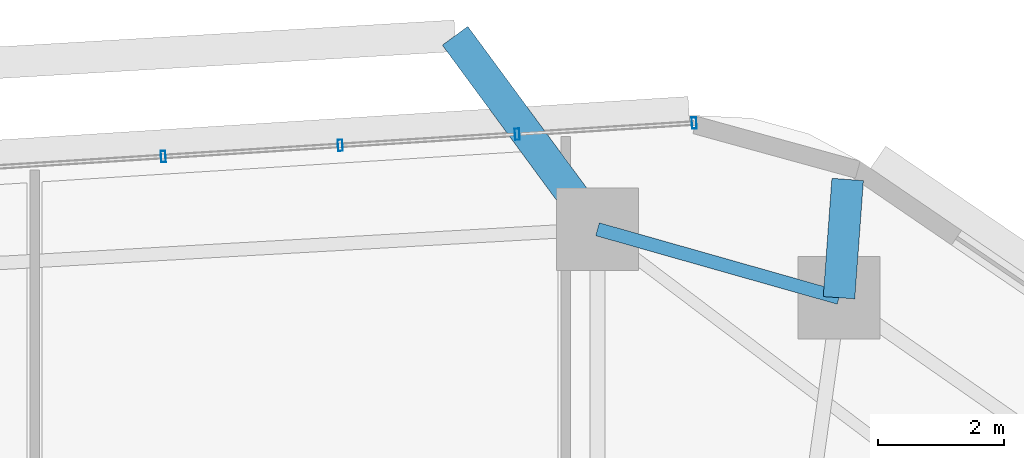
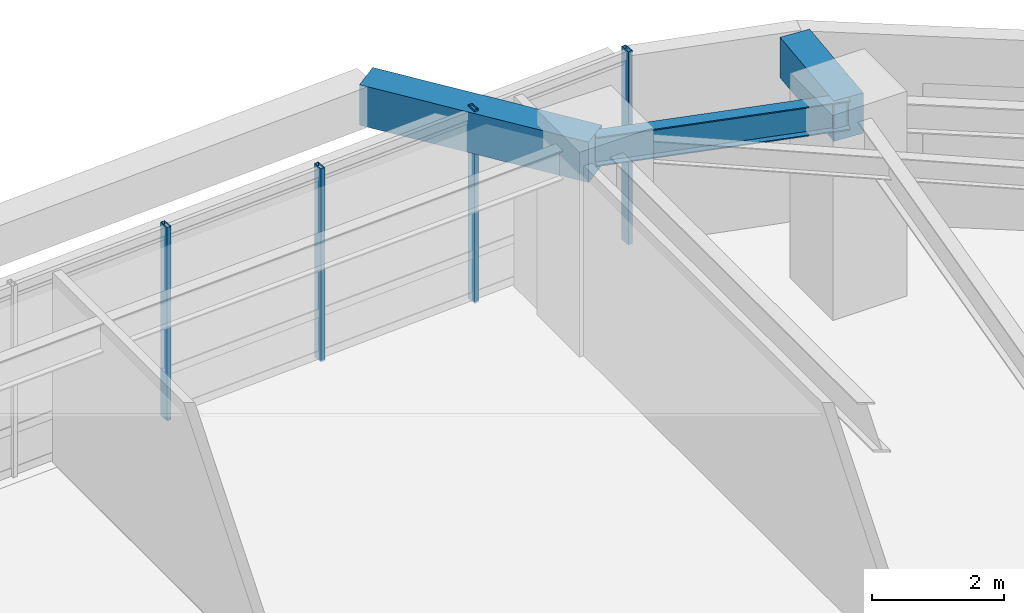
# One storey, part 5 of 14: 4 members, 3 beams, 1 element without a shape of its own.
"""IFC4 building model written with IfcOpenShell, lengths in metres."""

import ifcopenshell
import ifcopenshell.guid

model = None  # the IFC model being written
_history = None  # IfcOwnerHistory: only IFC2X3 demands one
_inside = {}  # id of a spatial element -> (the spatial element, [elements in it])
_under = {}  # id of a project, library or spatial element -> (it, [spatial elements below it])
_declared = {}  # id of a project -> (the project, [libraries it declares])
_typed = {}  # id of a type object -> (the type object, [elements of that type])
_made_of = {}  # id of a material, layer set ... -> (it, [elements and type objects made of it])


def new_model(schema):
    """Start an empty IFC model of exactly this schema.

    Asked for "IFC4X3", IfcOpenShell would pick the latest addendum, in which some entities
    have other attributes; the version numbers below select the first issue.
    IFC2X3 requires an IfcOwnerHistory on every rooted entity: one is made here for all.
    """
    global model, _history
    if schema == "IFC4X3":
        model = ifcopenshell.file(schema_version=(4, 3, 0, 0))
    else:
        model = ifcopenshell.file(schema=schema)
    _inside.clear()
    _under.clear()
    _declared.clear()
    _typed.clear()
    _made_of.clear()
    _history = None
    if model.schema == "IFC2X3":
        org = make("IfcOrganization", Name="unknown")
        user = make(
            "IfcPersonAndOrganization",
            ThePerson=make("IfcPerson", FamilyName="unknown"),
            TheOrganization=org,
        )
        app = make(
            "IfcApplication",
            ApplicationDeveloper=org,
            Version="unknown",
            ApplicationFullName="unknown",
            ApplicationIdentifier="unknown",
        )
        _history = make(
            "IfcOwnerHistory",
            OwningUser=user,
            OwningApplication=app,
            ChangeAction="ADDED",
            CreationDate=0,
        )
    return model


def make(cls, **values):
    """One entity of the class cls with the attributes given. An attribute that is None is left unset."""
    return model.create_entity(
        cls, **{name: value for name, value in values.items() if value is not None}
    )


def rooted(cls, **values):
    """An entity with a GlobalId (a new one), such as an element, a storey or a relation."""
    return make(cls, GlobalId=ifcopenshell.guid.new(), OwnerHistory=_history, **values)


def si_unit(unit_type, name, prefix=None):
    """IfcSIUnit, for example si_unit("LENGTHUNIT", "METRE", prefix="MILLI")."""
    return make("IfcSIUnit", UnitType=unit_type, Prefix=prefix, Name=name)


def assignment(units):
    """IfcUnitAssignment: the units of a project."""
    return None if units is None else make("IfcUnitAssignment", Units=units)


def point(xyz):
    """IfcCartesianPoint."""
    return None if xyz is None else make("IfcCartesianPoint", Coordinates=xyz)


def direction(xyz):
    """IfcDirection."""
    return None if xyz is None else make("IfcDirection", DirectionRatios=xyz)


def frame(location, z_axis=None, x_axis=None):
    """IfcAxis2Placement3D, a coordinate frame: its origin and axes. An axis left out is left unset."""
    return make(
        "IfcAxis2Placement3D",
        Location=point(location),
        Axis=direction(z_axis),
        RefDirection=direction(x_axis),
    )


def frame_2d(location, x_axis=None):
    """IfcAxis2Placement2D, a coordinate frame in the plane: its origin and x axis."""
    return make(
        "IfcAxis2Placement2D", Location=point(location), RefDirection=direction(x_axis)
    )


def origin():
    """The frame at (0, 0, 0) with its axes left unset."""
    return frame((0.0, 0.0, 0.0))


def origin_2d():
    """The frame at (0, 0) in the plane with its x axis left unset."""
    return frame_2d((0.0, 0.0))


def place(relative_to, where):
    """IfcLocalPlacement: puts the frame where relative to a parent placement (None: the world)."""
    return make(
        "IfcLocalPlacement", PlacementRelTo=relative_to, RelativePlacement=where
    )


def context(
    kind, dimensions, precision=None, world=None, true_north=None, identifier=None
):
    """IfcGeometricRepresentationContext, for example the 3D "Model" context."""
    return make(
        "IfcGeometricRepresentationContext",
        ContextIdentifier=identifier,
        ContextType=kind,
        CoordinateSpaceDimension=dimensions,
        Precision=precision,
        WorldCoordinateSystem=world,
        TrueNorth=true_north,
    )


def subcontext(parent, identifier, kind, view, scale=None):
    """IfcGeometricRepresentationSubContext, for example "Body" below "Model"."""
    return make(
        "IfcGeometricRepresentationSubContext",
        ContextIdentifier=identifier,
        ContextType=kind,
        ParentContext=parent,
        TargetScale=scale,
        TargetView=view,
    )


def project(units=None, contexts=None):
    """IfcProject with its units and contexts."""
    return rooted(
        "IfcProject",
        Name="project",
        RepresentationContexts=contexts,
        UnitsInContext=assignment(units),
    )


def spatial(cls, under=None, at=None, **own):
    """A site, building, storey or space (cls), placed at a placement, below another one or the project."""
    s = rooted(cls, ObjectPlacement=at, **own)
    if under is not None:
        _under.setdefault(under.id(), (under, []))[1].append(s)
    return s


def profile(cls, at=None, kind="AREA", **sizes):
    """A parametric profile (cls). Its sizes go by their IFC names, for example OverallWidth=200.0."""
    return make(cls, ProfileType=kind, Position=at, **sizes)


def rectangle(**sizes):
    """IfcRectangleProfileDef."""
    return profile("IfcRectangleProfileDef", **sizes)


def hollow_rectangle(**sizes):
    """IfcRectangleHollowProfileDef."""
    return profile("IfcRectangleHollowProfileDef", **sizes)


def i_section(**sizes):
    """IfcIShapeProfileDef."""
    return profile("IfcIShapeProfileDef", **sizes)


def extrude(swept, where, along, depth):
    """IfcExtrudedAreaSolid: the profile swept, set in the frame where, extruded along a direction by depth."""
    return make(
        "IfcExtrudedAreaSolid",
        SweptArea=swept,
        Position=where,
        ExtrudedDirection=direction(along),
        Depth=depth,
    )


def shape(context_of_items, identifier, shape_type, items):
    """IfcShapeRepresentation: the items that make up one representation, for example the "Body"."""
    return make(
        "IfcShapeRepresentation",
        ContextOfItems=context_of_items,
        RepresentationIdentifier=identifier,
        RepresentationType=shape_type,
        Items=items,
    )


def material(Name=None, Category=None):
    """IfcMaterial."""
    return make("IfcMaterial", Name=Name, Category=Category)


def material_profile(
    of_material, cross_section, Name=None, Category=None, Priority=None
):
    """IfcMaterialProfile: a cross section and its material."""
    return make(
        "IfcMaterialProfile",
        Name=Name,
        Material=of_material,
        Profile=cross_section,
        Priority=Priority,
        Category=Category,
    )


def profile_set(profiles, Name=None, composite=None):
    """IfcMaterialProfileSet."""
    return make(
        "IfcMaterialProfileSet",
        Name=Name,
        MaterialProfiles=profiles,
        CompositeProfile=composite,
    )


def made_of(thing, what):
    """Note that an element or type object is made of a material, layer set ...; save() writes the relation."""
    if what is not None:
        _made_of.setdefault(what.id(), (what, []))[1].append(thing)
    return thing


def type_object(cls, material=None, **own):
    """A type object (cls), such as IfcWallType, which elements share."""
    return made_of(rooted(cls, **own), material)


def element(
    cls,
    number,
    at=None,
    inside=None,
    cuts=None,
    type_object=None,
    material=None,
    context=None,
    identifier="Body",
    shape_type=None,
    held_by="IfcProductDefinitionShape",
    body=None,
    shapes=None,
    **own,
):
    """One element of the class cls, such as IfcWall. Its Tag is "e" and its number.

    at: its placement. inside: the storey or other place that contains it. cuts: it is an
    opening in that element (IfcRelVoidsElement). A single representation is given by context,
    identifier, shape_type and body (its items); several are given by shapes. held_by: the class
    of the entity that holds the representations. save() writes the other relations.
    """
    e = rooted(cls, Tag="e%d" % number, ObjectPlacement=at, **own)
    if body is not None:
        shapes = [shape(context, identifier, shape_type, body)]
    if shapes is not None:
        e.Representation = make(held_by, Representations=shapes)
    if inside is not None:
        _inside.setdefault(inside.id(), (inside, []))[1].append(e)
    if cuts is not None:
        rooted(
            "IfcRelVoidsElement", RelatingBuildingElement=cuts, RelatedOpeningElement=e
        )
    if type_object is not None:
        _typed.setdefault(type_object.id(), (type_object, []))[1].append(e)
    return made_of(e, material)


def aggregate(whole, parts):
    """IfcRelAggregates: a whole, such as a stair, and the parts it consists of."""
    return rooted("IfcRelAggregates", RelatingObject=whole, RelatedObjects=parts)


def save(model, path):
    """Write the relations noted so far, then the file.

    IfcRelAggregates (storeys below a building ...), IfcRelContainedInSpatialStructure (elements
    in a storey), IfcRelDefinesByType, IfcRelAssociatesMaterial and IfcRelDeclares: one each for
    every whole, place, type object, material and project.
    """
    for whole, parts in _under.values():
        aggregate(whole, parts)
    for where, things in _inside.values():
        rooted(
            "IfcRelContainedInSpatialStructure",
            RelatedElements=things,
            RelatingStructure=where,
        )
    for kind, things in _typed.values():
        rooted("IfcRelDefinesByType", RelatedObjects=things, RelatingType=kind)
    for what, things in _made_of.values():
        rooted("IfcRelAssociatesMaterial", RelatedObjects=things, RelatingMaterial=what)
    for by, libraries in _declared.values():
        rooted("IfcRelDeclares", RelatingContext=by, RelatedDefinitions=libraries)
    model.write(path)


model = new_model("IFC4")

# Units and contexts
model_context = context("Model", 3, precision=1e-05, world=origin(), true_north=direction((0.0, 1.0)))
body_context = subcontext(model_context, "Body", "Model", "MODEL_VIEW")
ifc_project = project(units=[si_unit("LENGTHUNIT", "METRE"), si_unit("AREAUNIT", "SQUARE_METRE"), si_unit("VOLUMEUNIT", "CUBIC_METRE"), si_unit("PLANEANGLEUNIT", "RADIAN"), si_unit("MASSUNIT", "GRAM", prefix="KILO")], contexts=[model_context])

# Site, building, storey
site_placement = place(None, origin())
site = spatial("IfcSite", under=ifc_project, at=site_placement, CompositionType="ELEMENT")
building_placement = place(site_placement, origin())
building = spatial("IfcBuilding", under=site, at=building_placement, Name="Zulverin Broadcast Headquarters", CompositionType="ELEMENT")
storey_placement = place(building_placement, frame((0.0, 0.0, 55.39990234375)))
storey = spatial("IfcBuildingStorey", under=building, at=storey_placement, Name="L13", CompositionType="ELEMENT", Elevation=55.39990234375)

# Beams
ifc_material_1 = material(Name="Concrete C40/50", Category="concrete")
ifc_material_profile_1 = material_profile(ifc_material_1, rectangle(XDim=0.5, YDim=0.75, at=origin_2d()), Name="Concrete C40/50", Category="concrete")
ifc_profile_set_1 = profile_set([ifc_material_profile_1], Name="Concrete C40/50")
beam_type_1 = type_object("IfcBeamType", Name="BM-RC-500x750", PredefinedType="BEAM", material=ifc_profile_set_1)
beam_1_placement = place(storey_placement, frame((50.121826171875, 46.325927734375, 3.150146484375), z_axis=(0.073023006252, 0.997330256514, 0.0), x_axis=(-0.997330256514, 0.073023006252, 0.0)))
element("IfcBeam", 1, at=beam_1_placement, inside=storey, type_object=beam_type_1, Name="L14 Plate Overhang Back-Spanned Beam OVR-08", PredefinedType="BEAM", context=body_context, shape_type="SweptSolid", body=[
    extrude(rectangle(XDim=0.5, YDim=0.75, at=origin_2d()), origin(), (0.0, 0.0, 1.0), 1.875732421875),
])
beam_2_placement = place(storey_placement, frame((46.30224609375, 47.4091796875, 3.150146484375), z_axis=(-0.592925064887, 0.805257640404, 0.0), x_axis=(-0.805257640404, -0.592925064887, 0.0)))
element("IfcBeam", 2, at=beam_2_placement, inside=storey, type_object=beam_type_1, Name="L14 Balcony Column-Framed Cantilever BAL_N-1", PredefinedType="BEAM", context=body_context, shape_type="SweptSolid", body=[
    extrude(rectangle(XDim=0.5, YDim=0.75, at=origin_2d()), origin(), (0.0, 0.0, 1.0), 3.800048828125),
])
ifc_material_2 = material(Name="Structural steel S355JR", Category="steel")
ifc_material_profile_2 = material_profile(ifc_material_2, i_section(OverallWidth=0.2119140625, OverallDepth=0.54443359375, WebThickness=0.0126953125, FlangeThickness=0.021240234375, at=origin_2d()), Name="Structural steel S355JR", Category="steel")
ifc_profile_set_2 = profile_set([ifc_material_profile_2], Name="Structural steel S355JR")
beam_type_2 = type_object("IfcBeamType", Name="BM-UB-533", PredefinedType="SPANDREL", material=ifc_profile_set_2)
beam_3_placement = place(storey_placement, frame((50.121826171875, 46.325927734375, 3.252685546875), z_axis=(-0.962058150721, 0.272844487999, 0.0), x_axis=(-0.272844487999, -0.962058150721, 0.0)))
element("IfcBeam", 3, at=beam_3_placement, inside=storey, type_object=beam_type_2, Name="L13 Perimeter Spandrel Beam SP-08", PredefinedType="SPANDREL", context=body_context, shape_type="SweptSolid", body=[
    extrude(i_section(OverallWidth=0.2119140625, OverallDepth=0.54443359375, WebThickness=0.0126953125, FlangeThickness=0.021240234375, at=origin_2d()), origin(), (0.0, 0.0, 1.0), 3.97021484375),
])

# Curtain wall, members
ifc_material_3 = material(Name="Low-zone ribbon unitised curtain wall", Category="aluminium")
curtain_wall_type = type_object("IfcCurtainWallType", Name="CW-TWR-LOW", PredefinedType="USERDEFINED", material=ifc_material_3)
curtain_wall_placement = place(storey_placement, origin())
curtain_wall = element("IfcCurtainWall", 4, at=curtain_wall_placement, inside=storey, type_object=curtain_wall_type, Name="L13 Unitised Curtain Wall CW-L13-E5", ObjectType="UNITISED CURTAIN WALL", PredefinedType="USERDEFINED")
ifc_material_4 = material(Name="Anodized pale-metal aluminium alloy 6063-T6", Category="aluminium")
ifc_material_profile_3 = material_profile(ifc_material_4, hollow_rectangle(XDim=0.074951171875, YDim=0.179931640625, WallThickness=0.0048828125, at=origin_2d()), Name="Anodized pale-metal aluminium alloy 6063-T6", Category="aluminium")
ifc_profile_set_3 = profile_set([ifc_material_profile_3], Name="Anodized pale-metal aluminium alloy 6063-T6")
member_type = type_object("IfcMemberType", Name="CW-MUL-180", PredefinedType="MULLION", material=ifc_profile_set_3)
member_1_placement = place(storey_placement, frame((47.83056640625, 49.08935546875, -0.02978515625), z_axis=(0.0, 0.0, 1.0), x_axis=(-0.998017621976, -0.062935095345, 0.0)))
member_1 = element("IfcMember", 5, at=member_1_placement, type_object=member_type, Name="CW-L13-E5 Mullion 00", PredefinedType="MULLION", context=body_context, shape_type="SweptSolid", body=[
    extrude(hollow_rectangle(XDim=0.074951171875, YDim=0.179931640625, WallThickness=0.0048828125, at=origin_2d()), origin(), (0.0, 0.0, 1.0), 3.5849609375),
])
member_2_placement = place(storey_placement, frame((45.031982421875, 48.912841796875, -0.02978515625), z_axis=(0.0, 0.0, 1.0), x_axis=(-0.998017621976, -0.062935095345, 0.0)))
member_2 = element("IfcMember", 6, at=member_2_placement, type_object=member_type, Name="CW-L13-E5 Mullion 01", PredefinedType="MULLION", context=body_context, shape_type="SweptSolid", body=[
    extrude(hollow_rectangle(XDim=0.074951171875, YDim=0.179931640625, WallThickness=0.0048828125, at=origin_2d()), origin(), (0.0, 0.0, 1.0), 3.5849609375),
])
member_3_placement = place(storey_placement, frame((42.233154296875, 48.736328125, -0.02978515625), z_axis=(0.0, 0.0, 1.0), x_axis=(-0.998017621976, -0.062935095345, 0.0)))
member_3 = element("IfcMember", 7, at=member_3_placement, type_object=member_type, Name="CW-L13-E5 Mullion 02", PredefinedType="MULLION", context=body_context, shape_type="SweptSolid", body=[
    extrude(hollow_rectangle(XDim=0.074951171875, YDim=0.179931640625, WallThickness=0.0048828125, at=origin_2d()), origin(), (0.0, 0.0, 1.0), 3.5849609375),
])
member_4_placement = place(storey_placement, frame((39.4345703125, 48.559814453125, -0.02978515625), z_axis=(0.0, 0.0, 1.0), x_axis=(-0.998017621976, -0.062935095345, 0.0)))
member_4 = element("IfcMember", 8, at=member_4_placement, type_object=member_type, Name="CW-L13-E5 Mullion 03", PredefinedType="MULLION", context=body_context, shape_type="SweptSolid", body=[
    extrude(hollow_rectangle(XDim=0.074951171875, YDim=0.179931640625, WallThickness=0.0048828125, at=origin_2d()), origin(), (0.0, 0.0, 1.0), 3.5849609375),
])
aggregate(curtain_wall, [member_1, member_2, member_3, member_4])

save(model, "model.ifc")
